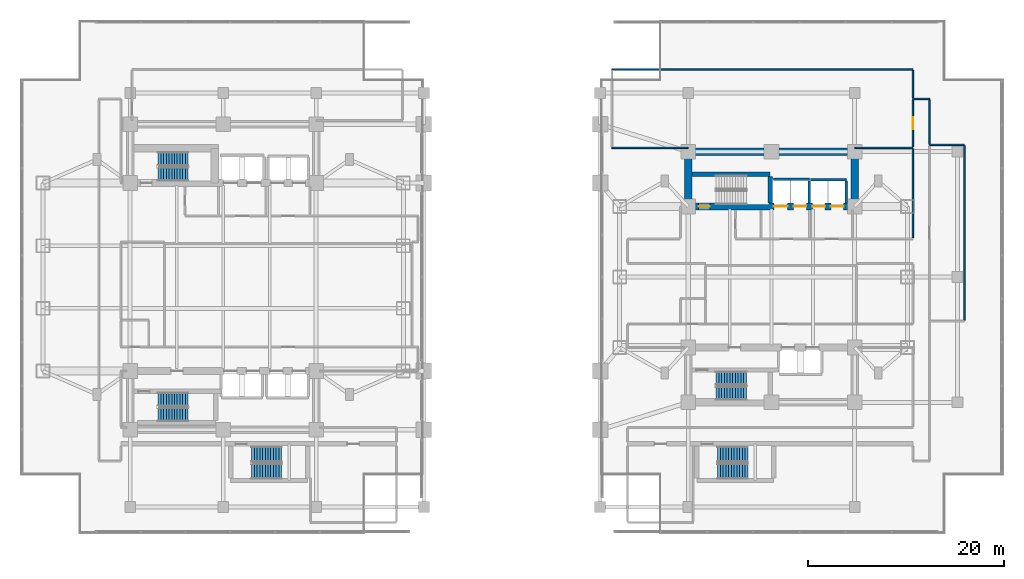
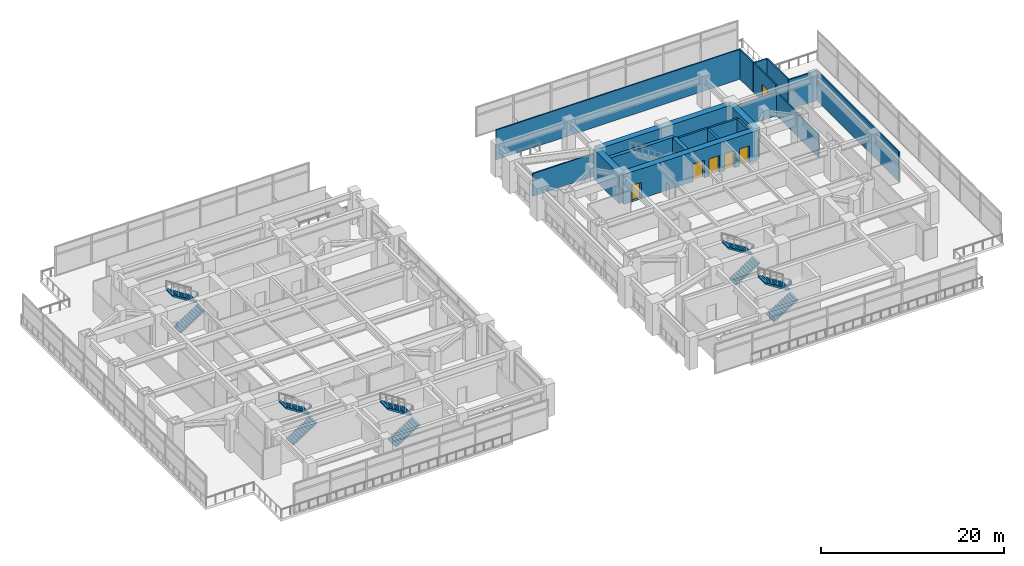
# One storey, part 19 of 31: 20 walls, 10 stair flights, 6 doors, 6 openings, 5 elements without a shape of their own.
"""IFC4 building model written with IfcOpenShell, lengths in metres."""

from ifc_helpers import new_model, si_unit, direction, frame, frame_2d, origin, place, context, subcontext, project, spatial, polyline, rectangle, outline, extrude, material, layer, layer_set, type_object, element, fill, aggregate, save


model = new_model("IFC4")

# Units and contexts
model_context = context("Model", 3, precision=1e-05, world=origin(), true_north=direction((0.0, 1.0)))
body_context = subcontext(model_context, "Body", "Model", "MODEL_VIEW")
ifc_project = project(units=[si_unit("LENGTHUNIT", "METRE"), si_unit("AREAUNIT", "SQUARE_METRE"), si_unit("VOLUMEUNIT", "CUBIC_METRE"), si_unit("PLANEANGLEUNIT", "RADIAN"), si_unit("MASSUNIT", "GRAM", prefix="KILO")], contexts=[model_context])

# Site, building, storey
site_placement = place(None, origin())
site = spatial("IfcSite", under=ifc_project, at=site_placement, CompositionType="ELEMENT")
building_placement = place(site_placement, origin())
building = spatial("IfcBuilding", under=site, at=building_placement, Name="Mirazonda Arch Towers", CompositionType="ELEMENT")
storey_placement = place(building_placement, frame((0.0, 0.0, 5.199951171875)))
storey = spatial("IfcBuildingStorey", under=building, at=storey_placement, Name="L01", CompositionType="ELEMENT", Elevation=5.199951171875)

# Walls
ifc_material_1 = material(Name="Concrete C50/60", Category="concrete")
ifc_layer_1 = layer(ifc_material_1, 0.449951171875, Name="WALL-CORE-450")
ifc_layer_set_1 = layer_set([ifc_layer_1], Name="Concrete C50/60")
wall_type_1 = type_object("IfcWallType", Name="WALL-CORE-450", PredefinedType="SHEAR", material=ifc_layer_set_1)
wall_1_placement = place(storey_placement, frame((68.3701171875, 38.5, 0.0), z_axis=(0.0, 0.0, 1.0), x_axis=(1.0, 0.0, 0.0)))
element("IfcWall", 1, at=wall_1_placement, inside=storey, type_object=wall_type_1, Name="L01 Stair Core Shear Wall 039", PredefinedType="SHEAR", context=body_context, shape_type="SweptSolid", body=[
    extrude(rectangle(XDim=7.989990234375, YDim=0.449951171875, at=frame_2d((3.9951171875, 0.0))), origin(), (0.0, 0.0, 1.0), 3.97998046875),
])
wall_2_placement = place(storey_placement, frame((76.360107421875, 35.570068359375, 0.0), z_axis=(0.0, 0.0, 1.0), x_axis=(0.0, 1.0, 0.0)))
element("IfcWall", 2, at=wall_2_placement, inside=storey, type_object=wall_type_1, Name="L01 Stair Core Shear Wall 095", PredefinedType="SHEAR", context=body_context, shape_type="SweptSolid", body=[
    extrude(rectangle(XDim=2.69482421875, YDim=0.449951171875, at=frame_2d((1.347412109375, 0.0))), origin(), (0.0, 0.0, 1.0), 3.97998046875),
])
ifc_material_2 = material(Name="Concrete C60/75", Category="concrete")
ifc_layer_2 = layer(ifc_material_2, 0.75, Name="WALL-CORE-750")
ifc_layer_set_2 = layer_set([ifc_layer_2], Name="Concrete C60/75")
wall_type_2 = type_object("IfcWallType", Name="WALL-CORE-750", PredefinedType="SHEAR", material=ifc_layer_set_2)
wall_3_placement = place(storey_placement, frame((68.0, 40.800048828125, 0.0), z_axis=(0.0, 0.0, 1.0), x_axis=(1.0, 0.0, 0.0)))
element("IfcWall", 3, at=wall_3_placement, inside=storey, type_object=wall_type_2, Name="L01 T2N-N Core Shear Wall", PredefinedType="SHEAR", context=body_context, shape_type="SweptSolid", body=[
    extrude(rectangle(XDim=17.0, YDim=0.75, at=frame_2d((8.5, 0.0))), origin(), (0.0, 0.0, 1.0), 3.97998046875),
])
for number, where, z_axis, x_axis, name in (
    (4, (68.0, 35.199951171875, 0.0), (0.0, 0.0, 1.0), (0.0, 1.0, 0.0), "L01 T2N-W Core Shear Wall"),
    (5, (85.0, 35.199951171875, 0.0), (0.0, 0.0, 1.0), (0.0, 1.0, 0.0), "L01 T2N-E Core Shear Wall"),
):
    element("IfcWall", number, at=place(storey_placement, frame(where, z_axis=z_axis, x_axis=x_axis)), inside=storey, type_object=wall_type_2, Name=name, PredefinedType="SHEAR", context=body_context, shape_type="SweptSolid", body=[
        extrude(rectangle(XDim=5.60009765625, YDim=0.75, at=frame_2d((2.800048828125, 0.0))), origin(), (0.0, 0.0, 1.0), 3.97998046875),
    ])

# Wall, openings, doors
wall_4_placement = place(storey_placement, frame((68.0, 35.199951171875, 0.0), z_axis=(0.0, 0.0, 1.0), x_axis=(1.0, 0.0, 0.0)))
wall_4 = element("IfcWall", 6, at=wall_4_placement, inside=storey, type_object=wall_type_2, Name="L01 T2N-S Core Shear Wall", PredefinedType="SHEAR", context=body_context, shape_type="SweptSolid", body=[
    extrude(rectangle(XDim=17.0, YDim=0.75, at=frame_2d((8.5, 0.0))), origin(), (0.0, 0.0, 1.0), 3.97998046875),
])
opening_1_placement = place(wall_4_placement, frame((1.070068359375, 0.0, 0.0)))
opening_1 = element("IfcOpeningElement", 7, at=opening_1_placement, cuts=wall_4, Name="Opening DR-135", PredefinedType="OPENING", context=body_context, shape_type="SweptSolid", body=[
    extrude(rectangle(XDim=1.14990234375, YDim=2.199951171875, at=frame_2d((0.574951171875, 1.10009765625))), frame((0.0, 0.385009765625, 0.0), z_axis=(0.0, -1.0, 0.0), x_axis=(1.0, 0.0, 0.0)), (0.0, 0.0, 1.0), 0.77001953125),
])
opening_2_placement = place(wall_4_placement, frame((8.75, 0.0, 0.0)))
opening_2 = element("IfcOpeningElement", 8, at=opening_2_placement, cuts=wall_4, Name="Opening LD-112", PredefinedType="OPENING", context=body_context, shape_type="SweptSolid", body=[
    extrude(rectangle(XDim=1.39990234375, YDim=2.35009765625, at=frame_2d((0.699951171875, 1.175048828125))), frame((0.0, 0.385009765625, 0.0), z_axis=(0.0, -1.0, 0.0), x_axis=(1.0, 0.0, 0.0)), (0.0, 0.0, 1.0), 0.77001953125),
])
opening_3_placement = place(wall_4_placement, frame((10.77001953125, 0.0, 0.0)))
opening_3 = element("IfcOpeningElement", 9, at=opening_3_placement, cuts=wall_4, Name="Opening LD-111", PredefinedType="OPENING", context=body_context, shape_type="SweptSolid", body=[
    extrude(rectangle(XDim=1.300048828125, YDim=2.300048828125, at=frame_2d((0.64990234375, 1.14990234375))), frame((0.0, 0.385009765625, 0.0), z_axis=(0.0, -1.0, 0.0), x_axis=(1.0, 0.0, 0.0)), (0.0, 0.0, 1.0), 0.77001953125),
])
opening_4_placement = place(wall_4_placement, frame((12.68994140625, 0.0, 0.0)))
opening_4 = element("IfcOpeningElement", 10, at=opening_4_placement, cuts=wall_4, Name="Opening LD-111", PredefinedType="OPENING", context=body_context, shape_type="SweptSolid", body=[
    extrude(rectangle(XDim=1.300048828125, YDim=2.300048828125, at=frame_2d((0.64990234375, 1.14990234375))), frame((0.0, 0.385009765625, 0.0), z_axis=(0.0, -1.0, 0.0), x_axis=(1.0, 0.0, 0.0)), (0.0, 0.0, 1.0), 0.77001953125),
])
opening_5_placement = place(wall_4_placement, frame((14.570068359375, 0.0, 0.0)))
opening_5 = element("IfcOpeningElement", 11, at=opening_5_placement, cuts=wall_4, Name="Opening LD-111", PredefinedType="OPENING", context=body_context, shape_type="SweptSolid", body=[
    extrude(rectangle(XDim=1.300048828125, YDim=2.300048828125, at=frame_2d((0.64990234375, 1.14990234375))), frame((0.0, 0.385009765625, 0.0), z_axis=(0.0, -1.0, 0.0), x_axis=(1.0, 0.0, 0.0)), (0.0, 0.0, 1.0), 0.77001953125),
])
ifc_material_3 = material(Name="Architectural Brushed Steel S355", Category="steel")
door_type_1 = type_object("IfcDoorType", Name="DOOR-LIFT-FFL-1400", OperationType="NOTDEFINED", PredefinedType="DOOR", material=ifc_material_3)
door_1_placement = place(opening_2_placement, origin())
door_1 = element("IfcDoor", 12, at=door_1_placement, inside=storey, type_object=door_type_1, Name="L01 Lift Landing Sliding Door FFL-T2", OperationType="DOUBLE_DOOR_SLIDING", OverallHeight=2.35009765625, OverallWidth=1.39990234375, PredefinedType="DOOR", context=body_context, shape_type="SweptSolid", body=[
    extrude(rectangle(XDim=1.39990234375, YDim=2.35009765625, at=frame_2d((0.699951171875, 1.175048828125))), frame((0.0, 0.02490234375, 0.0), z_axis=(0.0, -1.0, 0.0), x_axis=(1.0, 0.0, 0.0)), (0.0, 0.0, 1.0), 0.050048828125),
])
fill(opening_2, door_1)
door_type_2 = type_object("IfcDoorType", Name="DOOR-LIFT-LAND-1300", OperationType="NOTDEFINED", PredefinedType="DOOR", material=ifc_material_3)
door_2_placement = place(opening_3_placement, origin())
door_2 = element("IfcDoor", 13, at=door_2_placement, inside=storey, type_object=door_type_2, Name="L01 Lift Landing Sliding Door SVL-T2", OperationType="DOUBLE_DOOR_SLIDING", OverallHeight=2.300048828125, OverallWidth=1.300048828125, PredefinedType="DOOR", context=body_context, shape_type="SweptSolid", body=[
    extrude(rectangle(XDim=1.300048828125, YDim=2.300048828125, at=frame_2d((0.64990234375, 1.14990234375))), frame((0.0, 0.02490234375, 0.0), z_axis=(0.0, -1.0, 0.0), x_axis=(1.0, 0.0, 0.0)), (0.0, 0.0, 1.0), 0.050048828125),
])
fill(opening_3, door_2)
door_3_placement = place(opening_4_placement, origin())
door_3 = element("IfcDoor", 14, at=door_3_placement, inside=storey, type_object=door_type_2, Name="L01 Lift Landing Sliding Door PL-T2L1", OperationType="DOUBLE_DOOR_SLIDING", OverallHeight=2.300048828125, OverallWidth=1.300048828125, PredefinedType="DOOR", context=body_context, shape_type="SweptSolid", body=[
    extrude(rectangle(XDim=1.300048828125, YDim=2.300048828125, at=frame_2d((0.64990234375, 1.14990234375))), frame((0.0, 0.02490234375, 0.0), z_axis=(0.0, -1.0, 0.0), x_axis=(1.0, 0.0, 0.0)), (0.0, 0.0, 1.0), 0.050048828125),
])
fill(opening_4, door_3)
door_4_placement = place(opening_5_placement, origin())
door_4 = element("IfcDoor", 15, at=door_4_placement, inside=storey, type_object=door_type_2, Name="L01 Lift Landing Sliding Door PL-T2L2", OperationType="DOUBLE_DOOR_SLIDING", OverallHeight=2.300048828125, OverallWidth=1.300048828125, PredefinedType="DOOR", context=body_context, shape_type="SweptSolid", body=[
    extrude(rectangle(XDim=1.300048828125, YDim=2.300048828125, at=frame_2d((0.64990234375, 1.14990234375))), frame((0.0, 0.02490234375, 0.0), z_axis=(0.0, -1.0, 0.0), x_axis=(1.0, 0.0, 0.0)), (0.0, 0.0, 1.0), 0.050048828125),
])
fill(opening_5, door_4)
door_type_3 = type_object("IfcDoorType", Name="DOOR-STAIR-FD90-1150", OperationType="NOTDEFINED", PredefinedType="DOOR", material=ifc_material_3)
door_5_placement = place(opening_1_placement, origin())
door_5 = element("IfcDoor", 16, at=door_5_placement, inside=storey, type_object=door_type_3, Name="L01 East Protected Stair North Door", OperationType="SINGLE_SWING_RIGHT", OverallHeight=2.199951171875, OverallWidth=1.14990234375, PredefinedType="DOOR", context=body_context, shape_type="SweptSolid", body=[
    extrude(rectangle(XDim=1.14990234375, YDim=2.199951171875, at=frame_2d((0.574951171875, 1.10009765625))), frame((0.0, 0.02490234375, 0.0), z_axis=(0.0, -1.0, 0.0), x_axis=(1.0, 0.0, 0.0)), (0.0, 0.0, 1.0), 0.050048828125),
])
fill(opening_1, door_5)

# Walls
ifc_material_4 = material(Name="Fire-Rated Gypsum Stud Partition")
ifc_layer_3 = layer(ifc_material_4, 0.14990234375, Name="WALL-PART-CORR-150")
ifc_layer_set_3 = layer_set([ifc_layer_3], Name="Fire-Rated Gypsum Stud Partition")
wall_type_3 = type_object("IfcWallType", Name="WALL-PART-CORR-150", PredefinedType="PARTITIONING", material=ifc_layer_set_3)
wall_5_placement = place(storey_placement, frame((60.199951171875, 41.199951171875, 0.0), z_axis=(0.0, 0.0, 1.0), x_axis=(1.0, 0.0, 0.0)))
element("IfcWall", 17, at=wall_5_placement, inside=storey, type_object=wall_type_3, Name="L01 Interior Partition 042", PredefinedType="PARTITIONING", context=body_context, shape_type="SweptSolid", body=[
    extrude(rectangle(XDim=7.780029296875, YDim=0.14990234375, at=frame_2d((3.89013671875, 0.0))), origin(), (0.0, 0.0, 1.0), 3.024169921875),
])
wall_6_placement = place(storey_placement, frame((85.02001953125, 41.199951171875, 0.0), z_axis=(0.0, 0.0, 1.0), x_axis=(1.0, 0.0, 0.0)))
element("IfcWall", 18, at=wall_6_placement, inside=storey, type_object=wall_type_3, Name="L01 Interior Partition 043", PredefinedType="PARTITIONING", context=body_context, shape_type="SweptSolid", body=[
    extrude(rectangle(XDim=5.929931640625, YDim=0.14990234375, at=frame_2d((2.96484375, 0.0))), origin(), (0.0, 0.0, 1.0), 3.115966796875),
])
wall_7_placement = place(storey_placement, frame((92.64990234375, 41.5, 0.0), z_axis=(0.0, 0.0, 1.0), x_axis=(1.0, 0.0, 0.0)))
element("IfcWall", 19, at=wall_7_placement, inside=storey, type_object=wall_type_3, Name="L01 Interior Partition 044", PredefinedType="PARTITIONING", context=body_context, shape_type="SweptSolid", body=[
    extrude(rectangle(XDim=3.550048828125, YDim=0.14990234375, at=frame_2d((1.77490234375, 0.0))), origin(), (0.0, 0.0, 1.0), 3.97998046875),
])
wall_8_placement = place(storey_placement, frame((90.949951171875, 46.199951171875, 0.0), z_axis=(0.0, 0.0, 1.0), x_axis=(1.0, 0.0, 0.0)))
element("IfcWall", 20, at=wall_8_placement, inside=storey, type_object=wall_type_3, Name="L01 Interior Partition 047", PredefinedType="PARTITIONING", context=body_context, shape_type="SweptSolid", body=[
    extrude(rectangle(XDim=1.699951171875, YDim=0.14990234375, at=frame_2d((0.85009765625, 0.0))), origin(), (0.0, 0.0, 1.0), 3.97998046875),
])
wall_9_placement = place(storey_placement, frame((60.199951171875, 49.199951171875, 0.0), z_axis=(0.0, 0.0, 1.0), x_axis=(1.0, 0.0, 0.0)))
element("IfcWall", 21, at=wall_9_placement, inside=storey, type_object=wall_type_3, Name="L01 Interior Partition 049", PredefinedType="PARTITIONING", context=body_context, shape_type="SweptSolid", body=[
    extrude(rectangle(XDim=30.75, YDim=0.14990234375, at=frame_2d((15.375, 0.0))), origin(), (0.0, 0.0, 1.0), 3.97998046875),
])
wall_10_placement = place(storey_placement, frame((90.949951171875, 31.985107421875, 0.0), z_axis=(0.0, 0.0, 1.0), x_axis=(0.0, 1.0, 0.0)))
element("IfcWall", 22, at=wall_10_placement, inside=storey, type_object=wall_type_3, Name="L01 Interior Partition 107", PredefinedType="PARTITIONING", context=body_context, shape_type="SweptSolid", body=[
    extrude(rectangle(XDim=9.1298828125, YDim=0.14990234375, at=frame_2d((4.56494140625, 0.0))), origin(), (0.0, 0.0, 1.0), 3.115966796875),
])

# Wall, opening, door
wall_11_placement = place(storey_placement, frame((90.949951171875, 41.284912109375, 0.0), z_axis=(0.0, 0.0, 1.0), x_axis=(0.0, 1.0, 0.0)))
wall_11 = element("IfcWall", 23, at=wall_11_placement, inside=storey, type_object=wall_type_3, Name="L01 Interior Partition 108", PredefinedType="PARTITIONING", context=body_context, shape_type="SweptSolid", body=[
    extrude(rectangle(XDim=4.830078125, YDim=0.14990234375, at=frame_2d((2.4150390625, 0.0))), origin(), (0.0, 0.0, 1.0), 3.97998046875),
])
opening_6_placement = place(wall_11_placement, frame((1.81494140625, 0.0, 0.0)))
opening_6 = element("IfcOpeningElement", 24, at=opening_6_placement, cuts=wall_11, Name="Opening DR-117", PredefinedType="OPENING", context=body_context, shape_type="SweptSolid", body=[
    extrude(rectangle(XDim=1.199951171875, YDim=2.25, at=frame_2d((0.60009765625, 1.125))), frame((0.0, 0.0849609375, 0.0), z_axis=(0.0, -1.0, 0.0), x_axis=(1.0, 0.0, 0.0)), (0.0, 0.0, 1.0), 0.169921875),
])
door_type_4 = type_object("IfcDoorType", Name="DOOR-FFL-FD90-1200", OperationType="NOTDEFINED", PredefinedType="DOOR", material=ifc_material_3)
door_6_placement = place(opening_6_placement, origin())
door_6 = element("IfcDoor", 25, at=door_6_placement, inside=storey, type_object=door_type_4, Name="L01 L01 North Pre-Function Lounge Door", OperationType="SINGLE_SWING_RIGHT", OverallHeight=2.25, OverallWidth=1.199951171875, PredefinedType="DOOR", context=body_context, shape_type="SweptSolid", body=[
    extrude(rectangle(XDim=1.199951171875, YDim=2.25, at=frame_2d((0.60009765625, 1.125))), frame((0.0, 0.02490234375, 0.0), z_axis=(0.0, -1.0, 0.0), x_axis=(1.0, 0.0, 0.0)), (0.0, 0.0, 1.0), 0.050048828125),
])
fill(opening_6, door_6)

# Walls
wall_12_placement = place(storey_placement, frame((90.949951171875, 46.284912109375, 0.0), z_axis=(0.0, 0.0, 1.0), x_axis=(0.0, 1.0, 0.0)))
element("IfcWall", 26, at=wall_12_placement, inside=storey, type_object=wall_type_3, Name="L01 Interior Partition 109", PredefinedType="PARTITIONING", context=body_context, shape_type="SweptSolid", body=[
    extrude(rectangle(XDim=2.830078125, YDim=0.14990234375, at=frame_2d((1.4150390625, 0.0))), origin(), (0.0, 0.0, 1.0), 3.97998046875),
])
wall_13_placement = place(storey_placement, frame((92.64990234375, 41.5849609375, 0.0), z_axis=(0.0, 0.0, 1.0), x_axis=(0.0, 1.0, 0.0)))
element("IfcWall", 27, at=wall_13_placement, inside=storey, type_object=wall_type_3, Name="L01 Interior Partition 112", PredefinedType="PARTITIONING", context=body_context, shape_type="SweptSolid", body=[
    extrude(rectangle(XDim=4.530029296875, YDim=0.14990234375, at=frame_2d((2.26513671875, 0.0))), origin(), (0.0, 0.0, 1.0), 3.97998046875),
])
wall_14_placement = place(storey_placement, frame((96.199951171875, 23.5849609375, 0.0), z_axis=(0.0, 0.0, 1.0), x_axis=(0.0, 1.0, 0.0)))
element("IfcWall", 28, at=wall_14_placement, inside=storey, type_object=wall_type_3, Name="L01 Interior Partition 113", PredefinedType="PARTITIONING", context=body_context, shape_type="SweptSolid", body=[
    extrude(rectangle(XDim=17.830078125, YDim=0.14990234375, at=frame_2d((8.9150390625, 0.0))), origin(), (0.0, 0.0, 1.0), 3.97998046875),
])
ifc_material_5 = material(Name="Concrete C40/50", Category="concrete")
ifc_layer_4 = layer(ifc_material_5, 0.25, Name="WALL-SHAFT-250")
ifc_layer_set_4 = layer_set([ifc_layer_4], Name="Concrete C40/50")
wall_type_4 = type_object("IfcWallType", Name="WALL-SHAFT-250", PredefinedType="SOLIDWALL", material=ifc_layer_set_4)
wall_15_placement = place(storey_placement, frame((80.5, 37.949951171875, 0.0), z_axis=(0.0, 0.0, 1.0), x_axis=(1.0, 0.0, 0.0)))
element("IfcWall", 29, at=wall_15_placement, inside=storey, type_object=wall_type_4, Name="L01 Interior Partition 037", PredefinedType="SOLIDWALL", context=body_context, shape_type="SweptSolid", body=[
    extrude(rectangle(XDim=3.64990234375, YDim=0.25, at=frame_2d((1.824951171875, 0.0))), origin(), (0.0, 0.0, 1.0), 3.97998046875),
])
wall_16_placement = place(storey_placement, frame((76.719970703125, 38.0, 0.0), z_axis=(0.0, 0.0, 1.0), x_axis=(1.0, 0.0, 0.0)))
element("IfcWall", 30, at=wall_16_placement, inside=storey, type_object=wall_type_4, Name="L01 Interior Partition 038", PredefinedType="SOLIDWALL", context=body_context, shape_type="SweptSolid", body=[
    extrude(rectangle(XDim=3.659912109375, YDim=0.25, at=frame_2d((1.830078125, 0.0))), origin(), (0.0, 0.0, 1.0), 3.97998046875),
])
for number, where, z_axis, x_axis, name in (
    (31, (80.3798828125, 35.570068359375, 0.0), (0.0, 0.0, 1.0), (0.0, 1.0, 0.0), "L01 Interior Partition 099"),
    (32, (84.14990234375, 35.570068359375, 0.0), (0.0, 0.0, 1.0), (0.0, 1.0, 0.0), "L01 Interior Partition 101"),
):
    element("IfcWall", number, at=place(storey_placement, frame(where, z_axis=z_axis, x_axis=x_axis)), inside=storey, type_object=wall_type_4, Name=name, PredefinedType="SOLIDWALL", context=body_context, shape_type="SweptSolid", body=[
        extrude(rectangle(XDim=2.244873046875, YDim=0.25, at=frame_2d((1.12255859375, 0.0))), origin(), (0.0, 0.0, 1.0), 3.97998046875),
    ])

# Stair, stair flights
stair_type_1 = type_object("IfcStairType", Name="STAIR-CORE-1400", PredefinedType="HALF_TURN_STAIR", material=ifc_material_5)
stair_1_placement = place(storey_placement, origin())
stair_1 = element("IfcStair", 33, at=stair_1_placement, inside=storey, type_object=stair_type_1, Name="L01 Protected Exit Stair ST-T1N", PredefinedType="HALF_TURN_STAIR")
stair_flight_type_1 = type_object("IfcStairFlightType", Name="FLIGHT-1400", PredefinedType="STRAIGHT", material=ifc_material_5)
stair_flight_1_placement = place(storey_placement, frame((13.85009765625, 38.52001953125, 0.0), z_axis=(0.0, 0.0, 1.0), x_axis=(1.0, 0.0, 0.0)))
stair_flight_1 = element("IfcStairFlight", 34, at=stair_flight_1_placement, type_object=stair_flight_type_1, Name="ST-T1N flight 1", NumberOfRisers=12, NumberOfTreads=11, PredefinedType="STRAIGHT", RiserHeight=0.179166667, TreadLength=0.28, context=body_context, shape_type="SweptSolid", body=[
    extrude(outline(polyline([(0.0, 0.0), (0.0, 0.17919921875), (0.280029296875, 0.17919921875), (0.280029296875, 0.3583984375), (0.56005859375, 0.3583984375), (0.56005859375, 0.53759765625), (0.840087890625, 0.53759765625), (0.840087890625, 0.716552734375), (1.1201171875, 0.716552734375), (1.1201171875, 0.895751953125), (1.39990234375, 0.895751953125), (1.39990234375, 1.074951171875), (1.679931640625, 1.074951171875), (1.679931640625, 1.254150390625), (1.9599609375, 1.254150390625), (1.9599609375, 1.433349609375), (2.239990234375, 1.433349609375), (2.239990234375, 1.612548828125), (2.52001953125, 1.612548828125), (2.52001953125, 1.791748046875), (2.800048828125, 1.791748046875), (2.800048828125, 1.970947265625), (3.080078125, 1.970947265625), (3.080078125, 2.14990234375), (3.080078125, 1.781005859375), (0.296630859375, 0.0), (0.0, 0.0)])), frame((0.0, 0.699951171875, 0.0), z_axis=(0.0, -1.0, 0.0), x_axis=(1.0, 0.0, 0.0)), (0.0, 0.0, 1.0), 1.39990234375),
])
stair_flight_2_placement = place(storey_placement, frame((16.929931640625, 40.06005859375, 2.150146484375), z_axis=(0.0, 0.0, 1.0), x_axis=(-1.0, 0.0, 0.0)))
stair_flight_2 = element("IfcStairFlight", 35, at=stair_flight_2_placement, type_object=stair_flight_type_1, Name="ST-T1N flight 2", NumberOfRisers=12, NumberOfTreads=11, PredefinedType="STRAIGHT", RiserHeight=0.179166667, TreadLength=0.28, context=body_context, shape_type="SweptSolid", body=[
    extrude(outline(polyline([(0.0, 0.0), (0.0, 0.17919921875), (0.280029296875, 0.17919921875), (0.280029296875, 0.3583984375), (0.56005859375, 0.3583984375), (0.56005859375, 0.53759765625), (0.840087890625, 0.53759765625), (0.840087890625, 0.716552734375), (1.1201171875, 0.716552734375), (1.1201171875, 0.895751953125), (1.39990234375, 0.895751953125), (1.39990234375, 1.074951171875), (1.679931640625, 1.074951171875), (1.679931640625, 1.254150390625), (1.9599609375, 1.254150390625), (1.9599609375, 1.433349609375), (2.239990234375, 1.433349609375), (2.239990234375, 1.612548828125), (2.52001953125, 1.612548828125), (2.52001953125, 1.791748046875), (2.800048828125, 1.791748046875), (2.800048828125, 1.970947265625), (3.080078125, 1.970947265625), (3.080078125, 2.14990234375), (3.080078125, 1.781005859375), (0.296630859375, 0.0), (0.0, 0.0)])), frame((0.0, 0.699951171875, 0.0), z_axis=(0.0, -1.0, 0.0), x_axis=(1.0, 0.0, 0.0)), (0.0, 0.0, 1.0), 1.39990234375),
])
aggregate(stair_1, [stair_flight_1, stair_flight_2])

stair_2_placement = place(storey_placement, origin())
stair_2 = element("IfcStair", 36, at=stair_2_placement, inside=storey, type_object=stair_type_1, Name="L01 Protected Exit Stair ST-T1S", PredefinedType="HALF_TURN_STAIR")
stair_flight_3_placement = place(storey_placement, frame((13.85009765625, 13.949951171875, 0.0), z_axis=(0.0, 0.0, 1.0), x_axis=(1.0, 0.0, 0.0)))
stair_flight_3 = element("IfcStairFlight", 37, at=stair_flight_3_placement, type_object=stair_flight_type_1, Name="ST-T1S flight 1", NumberOfRisers=12, NumberOfTreads=11, PredefinedType="STRAIGHT", RiserHeight=0.179166667, TreadLength=0.28, context=body_context, shape_type="SweptSolid", body=[
    extrude(outline(polyline([(0.0, 0.0), (0.0, 0.17919921875), (0.280029296875, 0.17919921875), (0.280029296875, 0.3583984375), (0.56005859375, 0.3583984375), (0.56005859375, 0.53759765625), (0.840087890625, 0.53759765625), (0.840087890625, 0.716552734375), (1.1201171875, 0.716552734375), (1.1201171875, 0.895751953125), (1.39990234375, 0.895751953125), (1.39990234375, 1.074951171875), (1.679931640625, 1.074951171875), (1.679931640625, 1.254150390625), (1.9599609375, 1.254150390625), (1.9599609375, 1.433349609375), (2.239990234375, 1.433349609375), (2.239990234375, 1.612548828125), (2.52001953125, 1.612548828125), (2.52001953125, 1.791748046875), (2.800048828125, 1.791748046875), (2.800048828125, 1.970947265625), (3.080078125, 1.970947265625), (3.080078125, 2.14990234375), (3.080078125, 1.781005859375), (0.296630859375, 0.0), (0.0, 0.0)])), frame((0.0, 0.699951171875, 0.0), z_axis=(0.0, -1.0, 0.0), x_axis=(1.0, 0.0, 0.0)), (0.0, 0.0, 1.0), 1.39990234375),
])
stair_flight_4_placement = place(storey_placement, frame((16.929931640625, 15.489990234375, 2.150146484375), z_axis=(0.0, 0.0, 1.0), x_axis=(-1.0, 0.0, 0.0)))
stair_flight_4 = element("IfcStairFlight", 38, at=stair_flight_4_placement, type_object=stair_flight_type_1, Name="ST-T1S flight 2", NumberOfRisers=12, NumberOfTreads=11, PredefinedType="STRAIGHT", RiserHeight=0.179166667, TreadLength=0.28, context=body_context, shape_type="SweptSolid", body=[
    extrude(outline(polyline([(0.0, 0.0), (0.0, 0.17919921875), (0.280029296875, 0.17919921875), (0.280029296875, 0.3583984375), (0.56005859375, 0.3583984375), (0.56005859375, 0.53759765625), (0.840087890625, 0.53759765625), (0.840087890625, 0.716552734375), (1.1201171875, 0.716552734375), (1.1201171875, 0.895751953125), (1.39990234375, 0.895751953125), (1.39990234375, 1.074951171875), (1.679931640625, 1.074951171875), (1.679931640625, 1.254150390625), (1.9599609375, 1.254150390625), (1.9599609375, 1.433349609375), (2.239990234375, 1.433349609375), (2.239990234375, 1.612548828125), (2.52001953125, 1.612548828125), (2.52001953125, 1.791748046875), (2.800048828125, 1.791748046875), (2.800048828125, 1.970947265625), (3.080078125, 1.970947265625), (3.080078125, 2.14990234375), (3.080078125, 1.781005859375), (0.296630859375, 0.0), (0.0, 0.0)])), frame((0.0, 0.699951171875, 0.0), z_axis=(0.0, -1.0, 0.0), x_axis=(1.0, 0.0, 0.0)), (0.0, 0.0, 1.0), 1.39990234375),
])
aggregate(stair_2, [stair_flight_3, stair_flight_4])

stair_3_placement = place(storey_placement, origin())
stair_3 = element("IfcStair", 39, at=stair_3_placement, inside=storey, type_object=stair_type_1, Name="L01 Protected Exit Stair ST-T2S", PredefinedType="HALF_TURN_STAIR")
stair_flight_5_placement = place(storey_placement, frame((70.85009765625, 16.1201171875, 0.0), z_axis=(0.0, 0.0, 1.0), x_axis=(1.0, 0.0, 0.0)))
stair_flight_5 = element("IfcStairFlight", 40, at=stair_flight_5_placement, type_object=stair_flight_type_1, Name="ST-T2S flight 1", NumberOfRisers=12, NumberOfTreads=11, PredefinedType="STRAIGHT", RiserHeight=0.179166667, TreadLength=0.28, context=body_context, shape_type="SweptSolid", body=[
    extrude(outline(polyline([(0.0, 0.0), (0.0, 0.17919921875), (0.280029296875, 0.17919921875), (0.280029296875, 0.3583984375), (0.56005859375, 0.3583984375), (0.56005859375, 0.53759765625), (0.840087890625, 0.53759765625), (0.840087890625, 0.716552734375), (1.1201171875, 0.716552734375), (1.1201171875, 0.895751953125), (1.39990234375, 0.895751953125), (1.39990234375, 1.074951171875), (1.679931640625, 1.074951171875), (1.679931640625, 1.254150390625), (1.9599609375, 1.254150390625), (1.9599609375, 1.433349609375), (2.239990234375, 1.433349609375), (2.239990234375, 1.612548828125), (2.52001953125, 1.612548828125), (2.52001953125, 1.791748046875), (2.800048828125, 1.791748046875), (2.800048828125, 1.970947265625), (3.080078125, 1.970947265625), (3.080078125, 2.14990234375), (3.080078125, 1.781005859375), (0.296630859375, 0.0), (0.0, 0.0)])), frame((0.0, 0.699951171875, 0.0), z_axis=(0.0, -1.0, 0.0), x_axis=(1.0, 0.0, 0.0)), (0.0, 0.0, 1.0), 1.39990234375),
])
stair_flight_6_placement = place(storey_placement, frame((73.929931640625, 17.659912109375, 2.150146484375), z_axis=(0.0, 0.0, 1.0), x_axis=(-1.0, 0.0, 0.0)))
stair_flight_6 = element("IfcStairFlight", 41, at=stair_flight_6_placement, type_object=stair_flight_type_1, Name="ST-T2S flight 2", NumberOfRisers=12, NumberOfTreads=11, PredefinedType="STRAIGHT", RiserHeight=0.179166667, TreadLength=0.28, context=body_context, shape_type="SweptSolid", body=[
    extrude(outline(polyline([(0.0, 0.0), (0.0, 0.17919921875), (0.280029296875, 0.17919921875), (0.280029296875, 0.3583984375), (0.56005859375, 0.3583984375), (0.56005859375, 0.53759765625), (0.840087890625, 0.53759765625), (0.840087890625, 0.716552734375), (1.1201171875, 0.716552734375), (1.1201171875, 0.895751953125), (1.39990234375, 0.895751953125), (1.39990234375, 1.074951171875), (1.679931640625, 1.074951171875), (1.679931640625, 1.254150390625), (1.9599609375, 1.254150390625), (1.9599609375, 1.433349609375), (2.239990234375, 1.433349609375), (2.239990234375, 1.612548828125), (2.52001953125, 1.612548828125), (2.52001953125, 1.791748046875), (2.800048828125, 1.791748046875), (2.800048828125, 1.970947265625), (3.080078125, 1.970947265625), (3.080078125, 2.14990234375), (3.080078125, 1.781005859375), (0.296630859375, 0.0), (0.0, 0.0)])), frame((0.0, 0.699951171875, 0.0), z_axis=(0.0, -1.0, 0.0), x_axis=(1.0, 0.0, 0.0)), (0.0, 0.0, 1.0), 1.39990234375),
])
aggregate(stair_3, [stair_flight_5, stair_flight_6])

stair_type_2 = type_object("IfcStairType", Name="STAIR-POD-1600", PredefinedType="HALF_TURN_STAIR", material=ifc_material_5)
stair_4_placement = place(storey_placement, origin())
stair_4 = element("IfcStair", 42, at=stair_4_placement, inside=storey, type_object=stair_type_2, Name="L01 Protected Exit Stair ST-POD1", PredefinedType="HALF_TURN_STAIR")
stair_flight_type_2 = type_object("IfcStairFlightType", Name="FLIGHT-1600", PredefinedType="STRAIGHT", material=ifc_material_5)
stair_flight_7_placement = place(storey_placement, frame((23.39990234375, 8.14990234375, 0.0), z_axis=(0.0, 0.0, 1.0), x_axis=(1.0, 0.0, 0.0)))
stair_flight_7 = element("IfcStairFlight", 43, at=stair_flight_7_placement, type_object=stair_flight_type_2, Name="ST-POD1 flight 1", NumberOfRisers=12, NumberOfTreads=11, PredefinedType="STRAIGHT", RiserHeight=0.179166667, TreadLength=0.28, context=body_context, shape_type="SweptSolid", body=[
    extrude(outline(polyline([(0.0, 0.0), (0.0, 0.17919921875), (0.280029296875, 0.17919921875), (0.280029296875, 0.3583984375), (0.56005859375, 0.3583984375), (0.56005859375, 0.53759765625), (0.840087890625, 0.53759765625), (0.840087890625, 0.716552734375), (1.1201171875, 0.716552734375), (1.1201171875, 0.895751953125), (1.39990234375, 0.895751953125), (1.39990234375, 1.074951171875), (1.679931640625, 1.074951171875), (1.679931640625, 1.254150390625), (1.9599609375, 1.254150390625), (1.9599609375, 1.433349609375), (2.239990234375, 1.433349609375), (2.239990234375, 1.612548828125), (2.52001953125, 1.612548828125), (2.52001953125, 1.791748046875), (2.800048828125, 1.791748046875), (2.800048828125, 1.970947265625), (3.080078125, 1.970947265625), (3.080078125, 2.14990234375), (3.080078125, 1.75732421875), (0.333740234375, 0.0), (0.0, 0.0)])), frame((0.0, 0.800048828125, 0.0), z_axis=(0.0, -1.0, 0.0), x_axis=(1.0, 0.0, 0.0)), (0.0, 0.0, 1.0), 1.60009765625),
])
stair_flight_8_placement = place(storey_placement, frame((26.47998046875, 9.889892578125, 2.150146484375), z_axis=(0.0, 0.0, 1.0), x_axis=(-1.0, 0.0, 0.0)))
stair_flight_8 = element("IfcStairFlight", 44, at=stair_flight_8_placement, type_object=stair_flight_type_2, Name="ST-POD1 flight 2", NumberOfRisers=12, NumberOfTreads=11, PredefinedType="STRAIGHT", RiserHeight=0.179166667, TreadLength=0.28, context=body_context, shape_type="SweptSolid", body=[
    extrude(outline(polyline([(0.0, 0.0), (0.0, 0.17919921875), (0.280029296875, 0.17919921875), (0.280029296875, 0.3583984375), (0.56005859375, 0.3583984375), (0.56005859375, 0.53759765625), (0.840087890625, 0.53759765625), (0.840087890625, 0.716552734375), (1.1201171875, 0.716552734375), (1.1201171875, 0.895751953125), (1.39990234375, 0.895751953125), (1.39990234375, 1.074951171875), (1.679931640625, 1.074951171875), (1.679931640625, 1.254150390625), (1.9599609375, 1.254150390625), (1.9599609375, 1.433349609375), (2.239990234375, 1.433349609375), (2.239990234375, 1.612548828125), (2.52001953125, 1.612548828125), (2.52001953125, 1.791748046875), (2.800048828125, 1.791748046875), (2.800048828125, 1.970947265625), (3.080078125, 1.970947265625), (3.080078125, 2.14990234375), (3.080078125, 1.75732421875), (0.333740234375, 0.0), (0.0, 0.0)])), frame((0.0, 0.800048828125, 0.0), z_axis=(0.0, -1.0, 0.0), x_axis=(1.0, 0.0, 0.0)), (0.0, 0.0, 1.0), 1.60009765625),
])
aggregate(stair_4, [stair_flight_7, stair_flight_8])

stair_5_placement = place(storey_placement, origin())
stair_5 = element("IfcStair", 45, at=stair_5_placement, inside=storey, type_object=stair_type_2, Name="L01 Protected Exit Stair ST-POD2", PredefinedType="HALF_TURN_STAIR")
stair_flight_9_placement = place(storey_placement, frame((71.0, 8.14990234375, 0.0), z_axis=(0.0, 0.0, 1.0), x_axis=(1.0, 0.0, 0.0)))
stair_flight_9 = element("IfcStairFlight", 46, at=stair_flight_9_placement, type_object=stair_flight_type_2, Name="ST-POD2 flight 1", NumberOfRisers=12, NumberOfTreads=11, PredefinedType="STRAIGHT", RiserHeight=0.179166667, TreadLength=0.28, context=body_context, shape_type="SweptSolid", body=[
    extrude(outline(polyline([(0.0, 0.0), (0.0, 0.17919921875), (0.280029296875, 0.17919921875), (0.280029296875, 0.3583984375), (0.56005859375, 0.3583984375), (0.56005859375, 0.53759765625), (0.840087890625, 0.53759765625), (0.840087890625, 0.716552734375), (1.1201171875, 0.716552734375), (1.1201171875, 0.895751953125), (1.39990234375, 0.895751953125), (1.39990234375, 1.074951171875), (1.679931640625, 1.074951171875), (1.679931640625, 1.254150390625), (1.9599609375, 1.254150390625), (1.9599609375, 1.433349609375), (2.239990234375, 1.433349609375), (2.239990234375, 1.612548828125), (2.52001953125, 1.612548828125), (2.52001953125, 1.791748046875), (2.800048828125, 1.791748046875), (2.800048828125, 1.970947265625), (3.080078125, 1.970947265625), (3.080078125, 2.14990234375), (3.080078125, 1.75732421875), (0.333740234375, 0.0), (0.0, 0.0)])), frame((0.0, 0.800048828125, 0.0), z_axis=(0.0, -1.0, 0.0), x_axis=(1.0, 0.0, 0.0)), (0.0, 0.0, 1.0), 1.60009765625),
])
stair_flight_10_placement = place(storey_placement, frame((74.080078125, 9.889892578125, 2.150146484375), z_axis=(0.0, 0.0, 1.0), x_axis=(-1.0, 0.0, 0.0)))
stair_flight_10 = element("IfcStairFlight", 47, at=stair_flight_10_placement, type_object=stair_flight_type_2, Name="ST-POD2 flight 2", NumberOfRisers=12, NumberOfTreads=11, PredefinedType="STRAIGHT", RiserHeight=0.179166667, TreadLength=0.28, context=body_context, shape_type="SweptSolid", body=[
    extrude(outline(polyline([(0.0, 0.0), (0.0, 0.17919921875), (0.280029296875, 0.17919921875), (0.280029296875, 0.3583984375), (0.56005859375, 0.3583984375), (0.56005859375, 0.53759765625), (0.840087890625, 0.53759765625), (0.840087890625, 0.716552734375), (1.1201171875, 0.716552734375), (1.1201171875, 0.895751953125), (1.39990234375, 0.895751953125), (1.39990234375, 1.074951171875), (1.679931640625, 1.074951171875), (1.679931640625, 1.254150390625), (1.9599609375, 1.254150390625), (1.9599609375, 1.433349609375), (2.239990234375, 1.433349609375), (2.239990234375, 1.612548828125), (2.52001953125, 1.612548828125), (2.52001953125, 1.791748046875), (2.800048828125, 1.791748046875), (2.800048828125, 1.970947265625), (3.080078125, 1.970947265625), (3.080078125, 2.14990234375), (3.080078125, 1.75732421875), (0.333740234375, 0.0), (0.0, 0.0)])), frame((0.0, 0.800048828125, 0.0), z_axis=(0.0, -1.0, 0.0), x_axis=(1.0, 0.0, 0.0)), (0.0, 0.0, 1.0), 1.60009765625),
])
aggregate(stair_5, [stair_flight_9, stair_flight_10])

save(model, "model.ifc")
